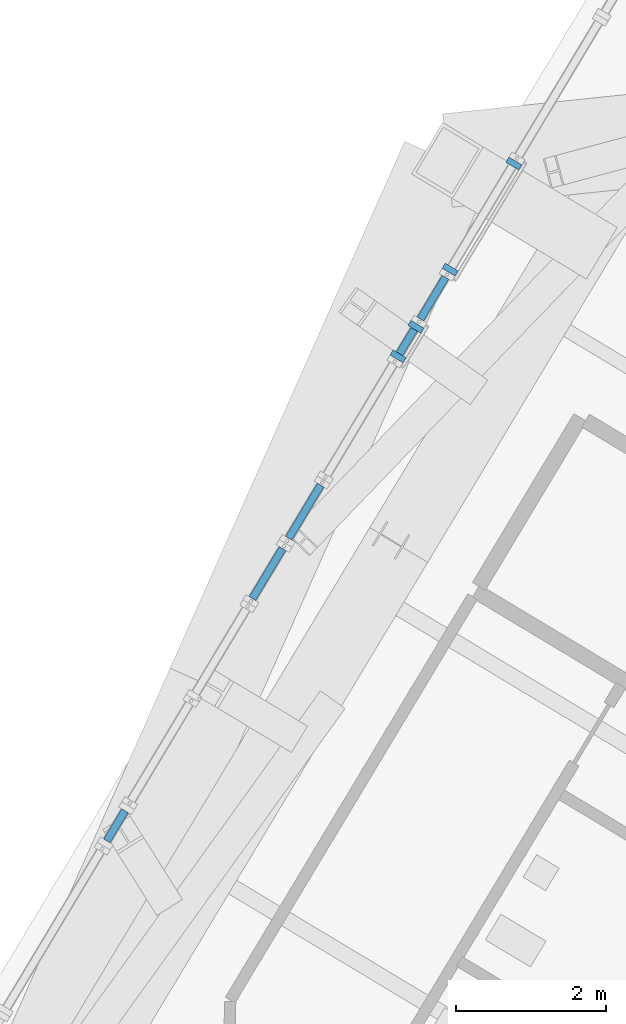
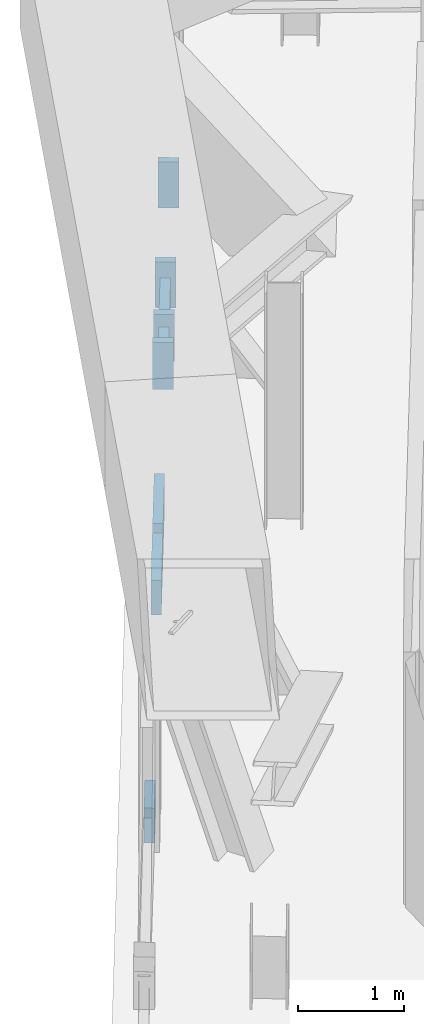
# One storey, part 12 of 28: 9 members, 6 elements without a shape of their own.
"""IFC4 building model written with IfcOpenShell, lengths in metres."""

from ifc_helpers import new_model, si_unit, direction, frame, origin, origin_2d, place, context, subcontext, project, spatial, rectangle, extrude, source, transform, mapped, material, material_profile, profile_set, type_object, element, aggregate, save


model = new_model("IFC4")

# Units and contexts
model_context = context("Model", 3, precision=1e-05, world=origin(), true_north=direction((0.0, 1.0)))
body_context = subcontext(model_context, "Body", "Model", "MODEL_VIEW")
ifc_project = project(units=[si_unit("LENGTHUNIT", "METRE"), si_unit("AREAUNIT", "SQUARE_METRE"), si_unit("VOLUMEUNIT", "CUBIC_METRE"), si_unit("PLANEANGLEUNIT", "RADIAN"), si_unit("MASSUNIT", "GRAM", prefix="KILO")], contexts=[model_context])

# Site, building, storey
site_placement = place(None, origin())
site = spatial("IfcSite", under=ifc_project, at=site_placement, CompositionType="ELEMENT")
building_placement = place(site_placement, origin())
building = spatial("IfcBuilding", under=site, at=building_placement, Name="Triune Harvest Tower", CompositionType="ELEMENT")
storey_placement = place(building_placement, frame((0.0, 0.0, 215.89990234375)))
storey = spatial("IfcBuildingStorey", under=building, at=storey_placement, Name="L56", CompositionType="ELEMENT", Elevation=215.89990234375)

# Curtain wall, member
ifc_material_1 = material(Name="Aluminium bronze anodised", Category="aluminium")
curtain_wall_type = type_object("IfcCurtainWallType", Name="CW-5 Plant louvre wall", PredefinedType="NOTDEFINED", material=ifc_material_1)
curtain_wall_1_placement = place(storey_placement, origin())
curtain_wall_1 = element("IfcCurtainWall", 1, at=curtain_wall_1_placement, inside=storey, type_object=curtain_wall_type, Name="CW-5 B5-F3 L56 run 601")
ifc_material_2 = material(Name="Aluminium bronze anodised", Category="aluminium")
ifc_material_profile_1 = material_profile(ifc_material_2, rectangle(XDim=0.10009765625, YDim=0.39990234375, at=origin_2d()), Name="TR-5 transom 100 x 400")
ifc_profile_set_1 = profile_set([ifc_material_profile_1], Name="Aluminium bronze anodised")
member_type_1 = type_object("IfcMemberType", Name="TR-5 transom 100 x 400", PredefinedType="USERDEFINED", material=ifc_profile_set_1)
member_1_placement = place(storey_placement, frame((-9.482421875, 24.365478515625, 0.2001953125), z_axis=(-0.514930391139, -0.857231994434, 0.0), x_axis=(0.857231994434, -0.514930391139, 0.0)))
member_1 = element("IfcMember", 2, at=member_1_placement, type_object=member_type_1, Name="CW-5 transom B5-F3 601.1", ObjectType="TRANSOM", PredefinedType="USERDEFINED", context=body_context, shape_type="SweptSolid", body=[
    extrude(rectangle(XDim=0.10009765625, YDim=0.39990234375, at=origin_2d()), origin(), (0.0, 0.0, 1.0), 0.825927734375),
])
aggregate(curtain_wall_1, [member_1])

curtain_wall_2_placement = place(storey_placement, origin())
curtain_wall_2 = element("IfcCurtainWall", 3, at=curtain_wall_2_placement, inside=storey, type_object=curtain_wall_type, Name="CW-5 B5-F3 L56 run 701")
member_2_placement = place(storey_placement, frame((-9.989990234375, 23.5205078125, 0.2001953125), z_axis=(-0.515049524348, -0.857160421082, 0.0), x_axis=(0.857160421082, -0.515049524348, 0.0)))
member_2 = element("IfcMember", 4, at=member_2_placement, type_object=member_type_1, Name="CW-5 transom B5-F3 701.1", ObjectType="TRANSOM", PredefinedType="USERDEFINED", context=body_context, shape_type="SweptSolid", body=[
    extrude(rectangle(XDim=0.10009765625, YDim=0.39990234375, at=origin_2d()), origin(), (0.0, 0.0, 1.0), 0.77783203125),
])
aggregate(curtain_wall_2, [member_2])

curtain_wall_3_placement = place(storey_placement, origin())
curtain_wall_3 = element("IfcCurtainWall", 5, at=curtain_wall_3_placement, inside=storey, type_object=curtain_wall_type, Name="CW-5 B5-F3 L56 run 301")
shared_shape_1 = source(origin(), body_context, "Body", "SweptSolid", [
    extrude(rectangle(XDim=0.10009765625, YDim=0.39990234375, at=origin_2d()), origin(), (0.0, 0.0, 1.0), 0.647705078125),
])
member_3_placement = place(storey_placement, frame((-7.81982421875, 27.13232421875, 0.2001953125), z_axis=(-0.514939179148, -0.857226715507, 0.0), x_axis=(0.857226715507, -0.514939179148, 0.0)))
member_3 = element("IfcMember", 6, at=member_3_placement, type_object=member_type_1, Name="CW-5 transom B5-F3 301.1", ObjectType="TRANSOM", PredefinedType="USERDEFINED", context=body_context, shape_type="MappedRepresentation", body=[
    mapped(shared_shape_1, transform((0.0, 0.0, 0.0), scale=1.0)),
])
aggregate(curtain_wall_3, [member_3])

# Curtain wall, members
curtain_wall_4_placement = place(storey_placement, origin())
curtain_wall_4 = element("IfcCurtainWall", 7, at=curtain_wall_4_placement, inside=storey, type_object=curtain_wall_type, Name="CW-5 B5-F3 L56 run 401")
ifc_material_3 = material(Name="Aluminium bronze anodised", Category="aluminium")
ifc_material_profile_2 = material_profile(ifc_material_3, rectangle(XDim=0.199951171875, YDim=0.080078125, at=origin_2d()), Name="MU-5 mullion 80 x 200")
ifc_profile_set_2 = profile_set([ifc_material_profile_2], Name="Aluminium bronze anodised")
member_type_2 = type_object("IfcMemberType", Name="MU-5 mullion 80 x 200", PredefinedType="MULLION", material=ifc_profile_set_2)
shared_shape_2 = source(origin(), body_context, "Body", "SweptSolid", [
    extrude(rectangle(XDim=0.199951171875, YDim=0.080078125, at=origin_2d()), origin(), (0.0, 0.0, 1.0), 0.54443359375),
])
member_4_placement = place(storey_placement, frame((-8.215087890625, 26.474365234375, 0.0), z_axis=(0.0, 0.0, 1.0), x_axis=(0.857198676041, -0.514985853974, 0.0)))
member_4 = element("IfcMember", 8, at=member_4_placement, type_object=member_type_2, Name="CW-5 mullion B5-F3 401.1", PredefinedType="MULLION", context=body_context, shape_type="MappedRepresentation", body=[
    mapped(shared_shape_2, transform((0.0, 0.0, 0.0), scale=1.0)),
])
member_5_placement = place(storey_placement, frame((-8.4521484375, 26.080078125, 0.0), z_axis=(0.0, 0.0, 1.0), x_axis=(0.857198676041, -0.514985853974, 0.0)))
member_5 = element("IfcMember", 9, at=member_5_placement, type_object=member_type_2, Name="CW-5 mullion B5-F3 401.2", PredefinedType="MULLION", context=body_context, shape_type="MappedRepresentation", body=[
    mapped(shared_shape_2, transform((0.0, 0.0, 0.0), scale=1.0)),
])
shared_shape_3 = source(origin(), body_context, "Body", "SweptSolid", [
    extrude(rectangle(XDim=0.10009765625, YDim=0.39990234375, at=origin_2d()), origin(), (0.0, 0.0, 1.0), 0.3798828125),
])
member_6_placement = place(storey_placement, frame((-8.23583984375, 26.43994140625, 0.2001953125), z_axis=(-0.514779258509, -0.857322760114, 0.0), x_axis=(0.857322760114, -0.514779258509, 0.0)))
member_6 = element("IfcMember", 10, at=member_6_placement, type_object=member_type_1, Name="CW-5 transom B5-F3 401.1", ObjectType="TRANSOM", PredefinedType="USERDEFINED", context=body_context, shape_type="MappedRepresentation", body=[
    mapped(shared_shape_3, transform((0.0, 0.0, 0.0), scale=1.0)),
])
aggregate(curtain_wall_4, [member_4, member_5, member_6])

curtain_wall_5_placement = place(storey_placement, origin())
curtain_wall_5 = element("IfcCurtainWall", 11, at=curtain_wall_5_placement, inside=storey, type_object=curtain_wall_type, Name="CW-5 B5-F3 L56 run 201")
shared_shape_4 = source(origin(), body_context, "Body", "SweptSolid", [
    extrude(rectangle(XDim=0.199951171875, YDim=0.080078125, at=origin_2d()), origin(), (0.0, 0.0, 1.0), 0.531494140625),
])
member_7_placement = place(storey_placement, frame((-6.909423828125, 28.6474609375, 0.0), z_axis=(0.0, 0.0, 1.0), x_axis=(0.857155648798, -0.515057466438, 0.0)))
member_7 = element("IfcMember", 12, at=member_7_placement, type_object=member_type_2, Name="CW-5 mullion B5-F3 201.1", PredefinedType="MULLION", context=body_context, shape_type="MappedRepresentation", body=[
    mapped(shared_shape_4, transform((0.0, 0.0, 0.0), scale=1.0)),
])
member_8_placement = place(storey_placement, frame((-7.758056640625, 27.235107421875, 0.0), z_axis=(0.0, 0.0, 1.0), x_axis=(0.857155648798, -0.515057466438, 0.0)))
member_8 = element("IfcMember", 13, at=member_8_placement, type_object=member_type_2, Name="CW-5 mullion B5-F3 201.2", PredefinedType="MULLION", context=body_context, shape_type="MappedRepresentation", body=[
    mapped(shared_shape_4, transform((0.0, 0.0, 0.0), scale=1.0)),
])
aggregate(curtain_wall_5, [member_7, member_8])

# Curtain wall, member
curtain_wall_6_placement = place(storey_placement, origin())
curtain_wall_6 = element("IfcCurtainWall", 14, at=curtain_wall_6_placement, inside=storey, type_object=curtain_wall_type, Name="CW-5 B5-F3 L56 run 1001")
shared_shape_5 = source(origin(), body_context, "Body", "SweptSolid", [
    extrude(rectangle(XDim=0.10009765625, YDim=0.39990234375, at=origin_2d()), origin(), (0.0, 0.0, 1.0), 0.468994140625),
])
member_9_placement = place(storey_placement, frame((-12.087646484375, 20.029296875, 0.2001953125), z_axis=(-0.515414202011, -0.856941188394, 0.0), x_axis=(0.856941188394, -0.515414202011, 0.0)))
member_9 = element("IfcMember", 15, at=member_9_placement, type_object=member_type_1, Name="CW-5 transom B5-F3 1001.1", ObjectType="TRANSOM", PredefinedType="USERDEFINED", context=body_context, shape_type="MappedRepresentation", body=[
    mapped(shared_shape_5, transform((0.0, 0.0, 0.0), scale=1.0)),
])
aggregate(curtain_wall_6, [member_9])

save(model, "model.ifc")
